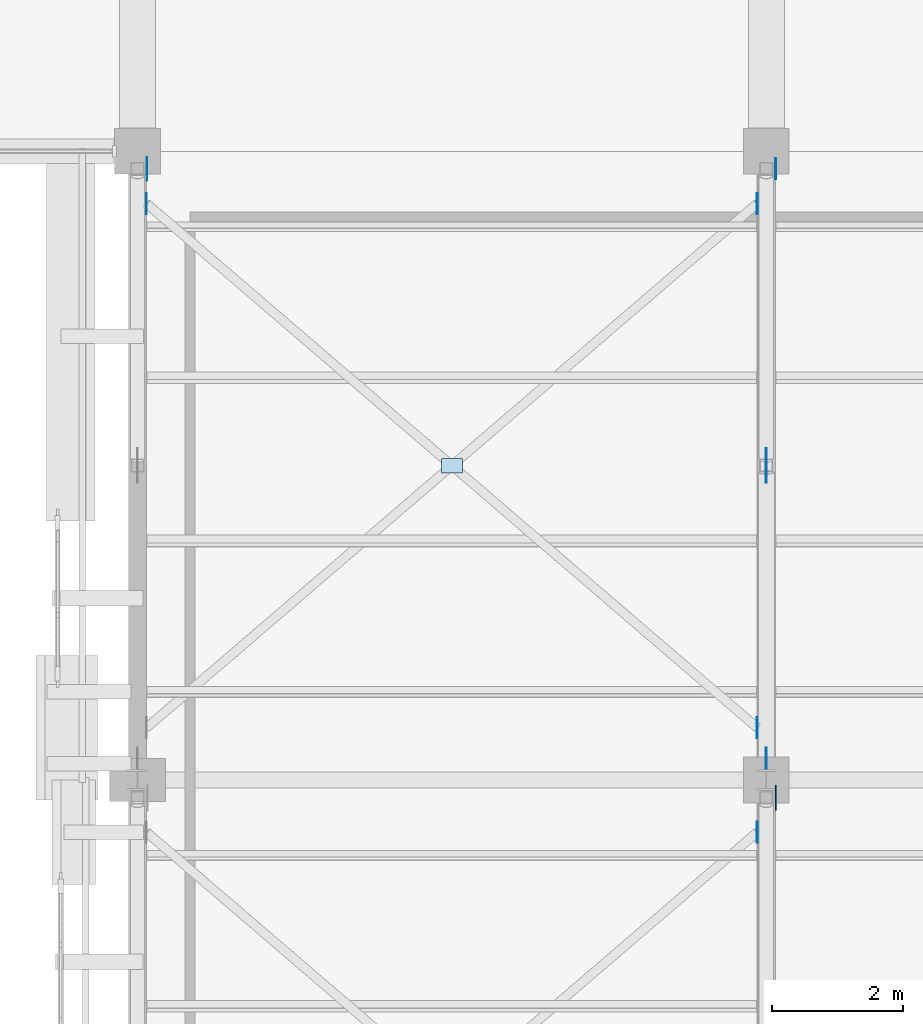
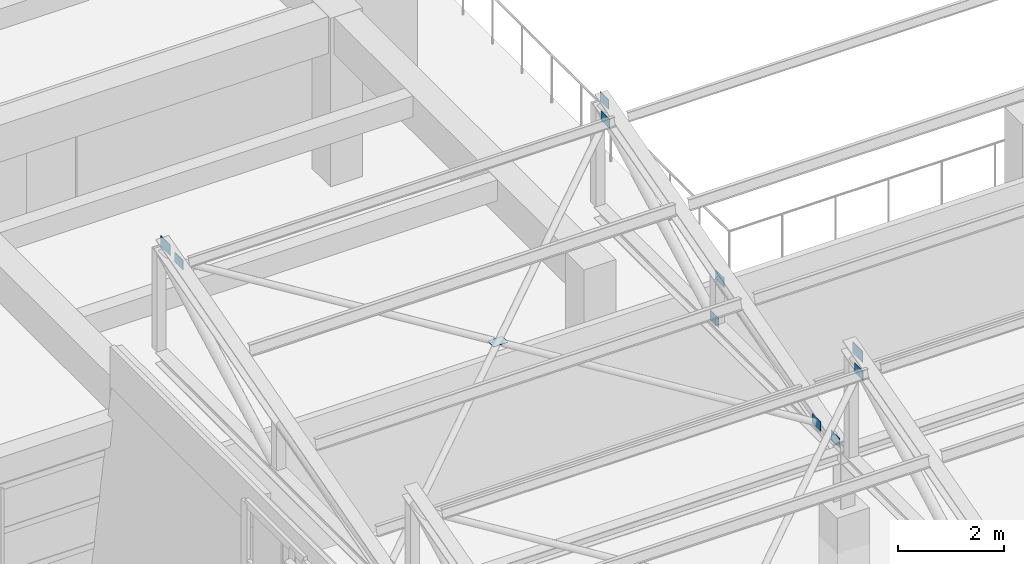
# One storey, part 42 of 71: 11 plates.
"""IFC4 building model written with IfcOpenShell, lengths in metres."""

from ifc_helpers import new_model, si_unit, direction, frame, origin, origin_2d, place, context, subcontext, project, spatial, rectangle, extrude, material, layer, layer_set, type_object, element, save


model = new_model("IFC4")

# Units and contexts
model_context = context("Model", 3, precision=1e-05, world=origin(), true_north=direction((0.0, 1.0)))
body_context = subcontext(model_context, "Body", "Model", "MODEL_VIEW")
ifc_project = project(units=[si_unit("LENGTHUNIT", "METRE"), si_unit("AREAUNIT", "SQUARE_METRE"), si_unit("VOLUMEUNIT", "CUBIC_METRE"), si_unit("PLANEANGLEUNIT", "RADIAN"), si_unit("MASSUNIT", "GRAM", prefix="KILO")], contexts=[model_context])

# Site, building, storey
site_placement = place(None, origin())
site = spatial("IfcSite", under=ifc_project, at=site_placement, CompositionType="ELEMENT")
building_placement = place(site_placement, origin())
building = spatial("IfcBuilding", under=site, at=building_placement, Name="Bempovik Park Faculty of Sciences", CompositionType="ELEMENT")
storey_placement = place(building_placement, frame((0.0, 0.0, 14.10009765625)))
storey = spatial("IfcBuildingStorey", under=building, at=storey_placement, Name="L03", CompositionType="ELEMENT", Elevation=14.10009765625)

# Plates
ifc_material = material(Name="Steel S355", Category="steel")
ifc_layer_1 = layer(ifc_material, 0.011962890625)
ifc_layer_set_1 = layer_set([ifc_layer_1], Name="Steel S355")
plate_type_1 = type_object("IfcPlateType", Name="PL-26 Steel Plate 320x220x12", PredefinedType="SHEET", material=ifc_layer_set_1)
for number, where, z_axis, x_axis, name in (
    (1, (69.464111328125, 57.39990234375, 7.46044921875), (0.0, 0.0, 1.0), (1.0, 0.0, 0.0), "Sawtooth X-Brace End Gusset V1-B4-60.0-2"),
    (2, (69.743896484375, 67.530029296875, 7.49462890625), (0.0, 0.0, 1.0), (1.0, 0.0, 0.0), "Sawtooth Ridge Gusset Plate V1-B5-69.6"),
):
    element("IfcPlate", number, at=place(storey_placement, frame(where, z_axis=z_axis, x_axis=x_axis)), inside=storey, type_object=plate_type_1, Name=name, PredefinedType="SHEET", context=body_context, shape_type="SweptSolid", body=[
        extrude(rectangle(XDim=0.011962890625, YDim=0.320068359375, at=origin_2d()), origin(), (0.0, 0.0, 1.0), 0.219970703125),
    ])
plate_1_placement = place(storey_placement, frame((64.800048828125, 63.0, 6.4921875), z_axis=(0.0, 0.0, 1.0), x_axis=(1.0, 0.0, 0.0)))
element("IfcPlate", 3, at=plate_1_placement, inside=storey, type_object=plate_type_1, Name="Sawtooth X-Brace Crossing Node Gusset V1-B5-60.0", PredefinedType="SHEET", context=body_context, shape_type="SweptSolid", body=[
    extrude(rectangle(XDim=0.320068359375, YDim=0.219970703125, at=origin_2d()), origin(), (0.0, 0.0, 1.0), 0.011962890625),
])
for number, where, z_axis, x_axis, name in (
    (4, (69.464111328125, 67.0, 7.46044921875), (0.0, 0.0, 1.0), (1.0, 0.0, 0.0), "Sawtooth X-Brace End Gusset V1-B5-60.0-2"),
    (5, (60.135986328125, 67.0, 7.46044921875), (0.0, 0.0, 1.0), (1.0, 0.0, 0.0), "Sawtooth X-Brace End Gusset V1-B5-60.0-3"),
    (6, (69.464111328125, 59.0, 5.31640625), (0.0, 0.0, 1.0), (1.0, 0.0, 0.0), "Sawtooth X-Brace End Gusset V1-B5-60.0-4"),
    (7, (69.60009765625, 58.530029296875, 5.17578125), (0.0, 0.0, 1.0), (1.0, 0.0, 0.0), "Brace/Strut End Gusset Plate SAW-V1-B5-D1-696-E1"),
    (8, (69.60009765625, 62.89501953125, 6.228515625), (0.0, 0.0, 1.0), (1.0, 0.0, 0.0), "Brace/Strut End Gusset Plate SAW-V1-B5-D1-696-E2"),
    (9, (69.60009765625, 63.10498046875, 5.17578125), (0.0, 0.0, 1.0), (1.0, 0.0, 0.0), "Brace/Strut End Gusset Plate SAW-V1-B5-D2-696-E1"),
):
    element("IfcPlate", number, at=place(storey_placement, frame(where, z_axis=z_axis, x_axis=x_axis)), inside=storey, type_object=plate_type_1, Name=name, PredefinedType="SHEET", context=body_context, shape_type="SweptSolid", body=[
        extrude(rectangle(XDim=0.011962890625, YDim=0.320068359375, at=origin_2d()), origin(), (0.0, 0.0, 1.0), 0.219970703125),
    ])
ifc_layer_2 = layer(ifc_material, 0.013916015625)
ifc_layer_set_2 = layer_set([ifc_layer_2], Name="Steel S355")
plate_type_2 = type_object("IfcPlateType", Name="PL-39 Steel Plate 360x250x14", PredefinedType="SHEET", material=ifc_layer_set_2)
plate_2_placement = place(storey_placement, frame((60.14501953125, 67.530029296875, 7.4794921875), z_axis=(0.0, 0.0, 1.0), x_axis=(1.0, 0.0, 0.0)))
element("IfcPlate", 10, at=plate_2_placement, inside=storey, type_object=plate_type_2, Name="Sawtooth Ridge Gusset Plate V1-B5-60.0", PredefinedType="SHEET", context=body_context, shape_type="SweptSolid", body=[
    extrude(rectangle(XDim=0.013916015625, YDim=0.360107421875, at=origin_2d()), origin(), (0.0, 0.0, 1.0), 0.25),
])
ifc_layer_3 = layer(ifc_material, 0.01611328125)
ifc_layer_set_3 = layer_set([ifc_layer_3], Name="Steel S355")
plate_type_3 = type_object("IfcPlateType", Name="PL-50 Steel Plate 380x260x16", PredefinedType="SHEET", material=ifc_layer_set_3)
plate_3_placement = place(storey_placement, frame((69.74609375, 57.929931640625, 7.474609375), z_axis=(0.0, 0.0, 1.0), x_axis=(1.0, 0.0, 0.0)))
element("IfcPlate", 11, at=plate_3_placement, inside=storey, type_object=plate_type_3, Name="Sawtooth Ridge Gusset Plate V1-B4-69.6", PredefinedType="SHEET", context=body_context, shape_type="SweptSolid", body=[
    extrude(rectangle(XDim=0.01611328125, YDim=0.3798828125, at=origin_2d()), origin(), (0.0, 0.0, 1.0), 0.260009765625),
])

save(model, "model.ifc")
